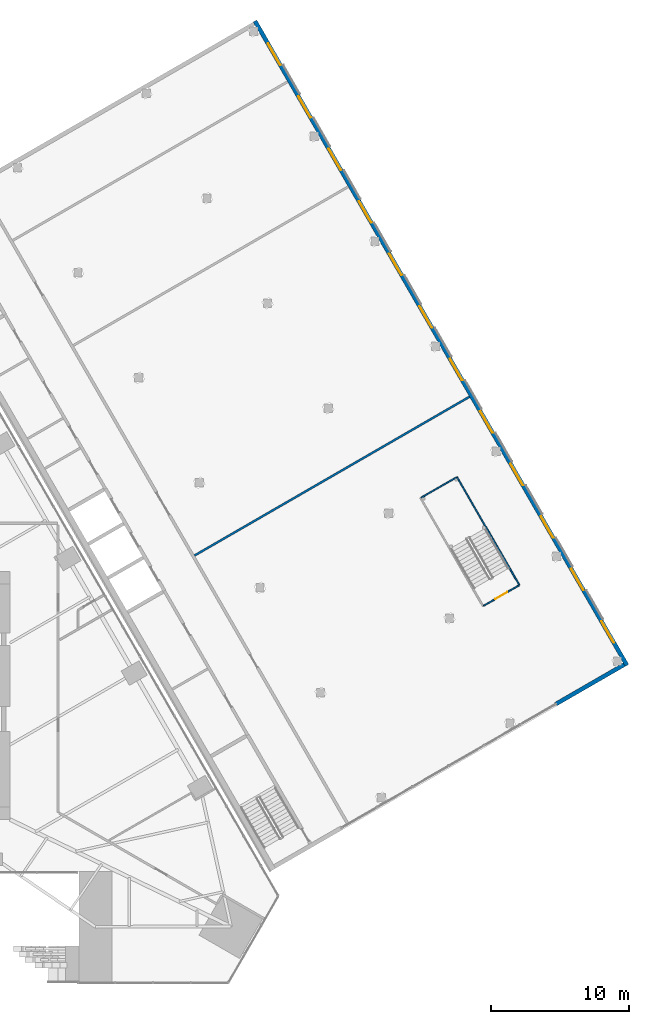
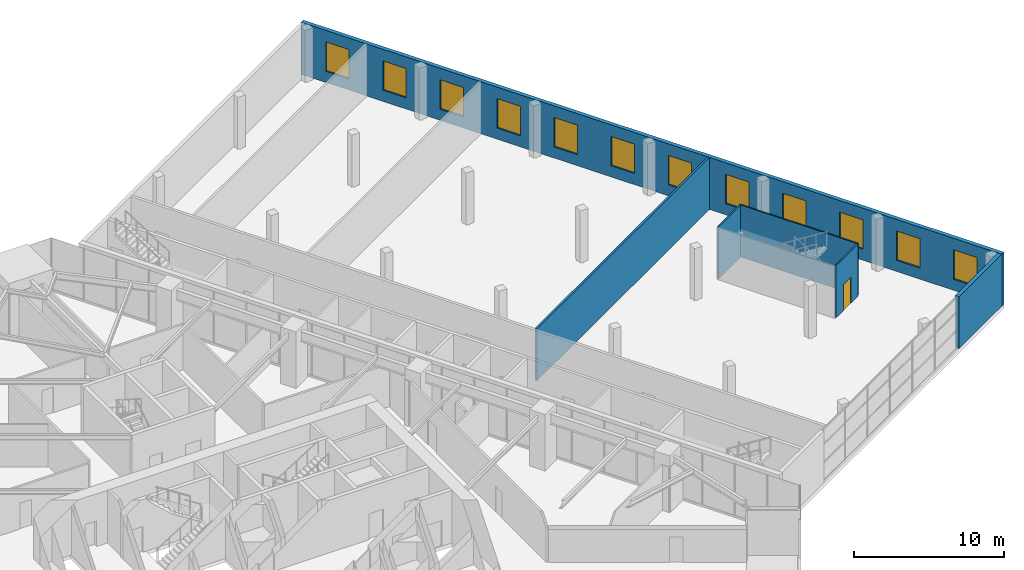
# One storey, part 21 of 29: 12 windows, 6 walls, 1 door, 13 openings.
"""IFC4 building model written with IfcOpenShell, lengths in metres."""

from ifc_helpers import new_model, si_unit, direction, frame, frame_2d, origin, place, context, subcontext, project, spatial, rectangle, extrude, material, layer, layer_set, type_object, element, fill, save


model = new_model("IFC4")

# Units and contexts
model_context = context("Model", 3, precision=1e-05, world=origin(), true_north=direction((0.0, 1.0)))
body_context = subcontext(model_context, "Body", "Model", "MODEL_VIEW")
ifc_project = project(units=[si_unit("LENGTHUNIT", "METRE"), si_unit("AREAUNIT", "SQUARE_METRE"), si_unit("VOLUMEUNIT", "CUBIC_METRE"), si_unit("PLANEANGLEUNIT", "RADIAN"), si_unit("MASSUNIT", "GRAM", prefix="KILO")], contexts=[model_context])

# Site, building, storey
site_placement = place(None, origin())
site = spatial("IfcSite", under=ifc_project, at=site_placement, CompositionType="ELEMENT")
building_placement = place(site_placement, origin())
building = spatial("IfcBuilding", under=site, at=building_placement, Name="Firuza Gate Tower and Library", CompositionType="ELEMENT")
storey_placement = place(building_placement, frame((0.0, 0.0, 8.0)))
storey = spatial("IfcBuildingStorey", under=building, at=storey_placement, Name="L01", CompositionType="ELEMENT", Elevation=8.0)

# Wall, openings, windows
ifc_material_1 = material(Name="Concrete C30/37", Category="concrete")
ifc_layer_1 = layer(ifc_material_1, 0.300048828125)
ifc_layer_set_1 = layer_set([ifc_layer_1], Name="LIB EXTERNAL WALL 300")
wall_type_1 = type_object("IfcWallType", Name="LIB EXTERNAL WALL 300", PredefinedType="SOLIDWALL", material=ifc_layer_set_1)
wall_1_placement = place(storey_placement, frame((132.783935546875, 77.1845703125, 0.0), z_axis=(0.0, 0.0, 1.0), x_axis=(-0.49999992739, 0.866025445706, 0.0)))
wall_1 = element("IfcWall", 1, at=wall_1_placement, inside=storey, type_object=wall_type_1, Name="L01 east wall", PredefinedType="SOLIDWALL", context=body_context, shape_type="SweptSolid", body=[
    extrude(rectangle(XDim=54.0, YDim=0.300048828125, at=frame_2d((27.0, 0.0))), origin(), (0.0, 0.0, 1.0), 4.239990234375),
])
opening_1_placement = place(wall_1_placement, frame((1.89990234375, 0.0, 0.89990234375)))
opening_1 = element("IfcOpeningElement", 2, at=opening_1_placement, cuts=wall_1, Name="Opening LIB-WN1-001", PredefinedType="OPENING", context=body_context, shape_type="SweptSolid", body=[
    extrude(rectangle(XDim=1.800048828125, YDim=2.39990234375, at=frame_2d((0.89990234375, 1.199951171875))), frame((0.0, 0.16015625, 0.0), z_axis=(0.0, -1.0, 0.0), x_axis=(1.0, 0.0, 0.0)), (0.0, 0.0, 1.0), 0.320068359375),
])
opening_2_placement = place(wall_1_placement, frame((6.300048828125, 0.0, 0.89990234375)))
opening_2 = element("IfcOpeningElement", 3, at=opening_2_placement, cuts=wall_1, Name="Opening LIB-WN1-002", PredefinedType="OPENING", context=body_context, shape_type="SweptSolid", body=[
    extrude(rectangle(XDim=1.800048828125, YDim=2.39990234375, at=frame_2d((0.89990234375, 1.199951171875))), frame((0.0, 0.16015625, 0.0), z_axis=(0.0, -1.0, 0.0), x_axis=(1.0, 0.0, 0.0)), (0.0, 0.0, 1.0), 0.320068359375),
])
opening_3_placement = place(wall_1_placement, frame((10.699951171875, 0.0, 0.89990234375)))
opening_3 = element("IfcOpeningElement", 4, at=opening_3_placement, cuts=wall_1, Name="Opening LIB-WN1-003", PredefinedType="OPENING", context=body_context, shape_type="SweptSolid", body=[
    extrude(rectangle(XDim=1.800048828125, YDim=2.39990234375, at=frame_2d((0.89990234375, 1.199951171875))), frame((0.0, 0.16015625, 0.0), z_axis=(0.0, -1.0, 0.0), x_axis=(1.0, 0.0, 0.0)), (0.0, 0.0, 1.0), 0.320068359375),
])
opening_4_placement = place(wall_1_placement, frame((15.10009765625, 0.0, 0.89990234375)))
opening_4 = element("IfcOpeningElement", 5, at=opening_4_placement, cuts=wall_1, Name="Opening LIB-WN1-004", PredefinedType="OPENING", context=body_context, shape_type="SweptSolid", body=[
    extrude(rectangle(XDim=1.800048828125, YDim=2.39990234375, at=frame_2d((0.89990234375, 1.199951171875))), frame((0.0, 0.16015625, 0.0), z_axis=(0.0, -1.0, 0.0), x_axis=(1.0, 0.0, 0.0)), (0.0, 0.0, 1.0), 0.320068359375),
])
opening_5_placement = place(wall_1_placement, frame((19.5, 0.0, 0.89990234375)))
opening_5 = element("IfcOpeningElement", 6, at=opening_5_placement, cuts=wall_1, Name="Opening LIB-WN1-005", PredefinedType="OPENING", context=body_context, shape_type="SweptSolid", body=[
    extrude(rectangle(XDim=1.800048828125, YDim=2.39990234375, at=frame_2d((0.89990234375, 1.199951171875))), frame((0.0, 0.16015625, 0.0), z_axis=(0.0, -1.0, 0.0), x_axis=(1.0, 0.0, 0.0)), (0.0, 0.0, 1.0), 0.320068359375),
])
opening_6_placement = place(wall_1_placement, frame((23.89990234375, 0.0, 0.89990234375)))
opening_6 = element("IfcOpeningElement", 7, at=opening_6_placement, cuts=wall_1, Name="Opening LIB-WN1-006", PredefinedType="OPENING", context=body_context, shape_type="SweptSolid", body=[
    extrude(rectangle(XDim=1.800048828125, YDim=2.39990234375, at=frame_2d((0.89990234375, 1.199951171875))), frame((0.0, 0.16015625, 0.0), z_axis=(0.0, -1.0, 0.0), x_axis=(1.0, 0.0, 0.0)), (0.0, 0.0, 1.0), 0.320068359375),
])
opening_7_placement = place(wall_1_placement, frame((28.300048828125, 0.0, 0.89990234375)))
opening_7 = element("IfcOpeningElement", 8, at=opening_7_placement, cuts=wall_1, Name="Opening LIB-WN1-007", PredefinedType="OPENING", context=body_context, shape_type="SweptSolid", body=[
    extrude(rectangle(XDim=1.800048828125, YDim=2.39990234375, at=frame_2d((0.89990234375, 1.199951171875))), frame((0.0, 0.16015625, 0.0), z_axis=(0.0, -1.0, 0.0), x_axis=(1.0, 0.0, 0.0)), (0.0, 0.0, 1.0), 0.320068359375),
])
opening_8_placement = place(wall_1_placement, frame((32.699951171875, 0.0, 0.89990234375)))
opening_8 = element("IfcOpeningElement", 9, at=opening_8_placement, cuts=wall_1, Name="Opening LIB-WN1-008", PredefinedType="OPENING", context=body_context, shape_type="SweptSolid", body=[
    extrude(rectangle(XDim=1.800048828125, YDim=2.39990234375, at=frame_2d((0.89990234375, 1.199951171875))), frame((0.0, 0.16015625, 0.0), z_axis=(0.0, -1.0, 0.0), x_axis=(1.0, 0.0, 0.0)), (0.0, 0.0, 1.0), 0.320068359375),
])
opening_9_placement = place(wall_1_placement, frame((37.10009765625, 0.0, 0.89990234375)))
opening_9 = element("IfcOpeningElement", 10, at=opening_9_placement, cuts=wall_1, Name="Opening LIB-WN1-009", PredefinedType="OPENING", context=body_context, shape_type="SweptSolid", body=[
    extrude(rectangle(XDim=1.800048828125, YDim=2.39990234375, at=frame_2d((0.89990234375, 1.199951171875))), frame((0.0, 0.16015625, 0.0), z_axis=(0.0, -1.0, 0.0), x_axis=(1.0, 0.0, 0.0)), (0.0, 0.0, 1.0), 0.320068359375),
])
opening_10_placement = place(wall_1_placement, frame((41.5, 0.0, 0.89990234375)))
opening_10 = element("IfcOpeningElement", 11, at=opening_10_placement, cuts=wall_1, Name="Opening LIB-WN1-010", PredefinedType="OPENING", context=body_context, shape_type="SweptSolid", body=[
    extrude(rectangle(XDim=1.800048828125, YDim=2.39990234375, at=frame_2d((0.89990234375, 1.199951171875))), frame((0.0, 0.16015625, 0.0), z_axis=(0.0, -1.0, 0.0), x_axis=(1.0, 0.0, 0.0)), (0.0, 0.0, 1.0), 0.320068359375),
])
opening_11_placement = place(wall_1_placement, frame((45.89990234375, 0.0, 0.89990234375)))
opening_11 = element("IfcOpeningElement", 12, at=opening_11_placement, cuts=wall_1, Name="Opening LIB-WN1-011", PredefinedType="OPENING", context=body_context, shape_type="SweptSolid", body=[
    extrude(rectangle(XDim=1.800048828125, YDim=2.39990234375, at=frame_2d((0.89990234375, 1.199951171875))), frame((0.0, 0.16015625, 0.0), z_axis=(0.0, -1.0, 0.0), x_axis=(1.0, 0.0, 0.0)), (0.0, 0.0, 1.0), 0.320068359375),
])
opening_12_placement = place(wall_1_placement, frame((50.300048828125, 0.0, 0.89990234375)))
opening_12 = element("IfcOpeningElement", 13, at=opening_12_placement, cuts=wall_1, Name="Opening LIB-WN1-012", PredefinedType="OPENING", context=body_context, shape_type="SweptSolid", body=[
    extrude(rectangle(XDim=1.800048828125, YDim=2.39990234375, at=frame_2d((0.89990234375, 1.199951171875))), frame((0.0, 0.16015625, 0.0), z_axis=(0.0, -1.0, 0.0), x_axis=(1.0, 0.0, 0.0)), (0.0, 0.0, 1.0), 0.320068359375),
])
ifc_material_2 = material(Name="Ceramic-fritted glass", Category="glass")
window_type = type_object("IfcWindowType", Name="LIB WINDOW 1800X2400", PartitioningType="SINGLE_PANEL", PredefinedType="WINDOW", material=ifc_material_2)
window_1_placement = place(opening_1_placement, origin())
window_1 = element("IfcWindow", 14, at=window_1_placement, inside=storey, type_object=window_type, Name="L01 east window 1a", OverallHeight=2.39990234375, OverallWidth=1.800048828125, PartitioningType="SINGLE_PANEL", PredefinedType="WINDOW", context=body_context, shape_type="SweptSolid", body=[
    extrude(rectangle(XDim=1.800048828125, YDim=2.39990234375, at=frame_2d((0.89990234375, 1.199951171875))), frame((0.0, 0.030029296875, 0.0), z_axis=(0.0, -1.0, 0.0), x_axis=(1.0, 0.0, 0.0)), (0.0, 0.0, 1.0), 0.06005859375),
])
fill(opening_1, window_1)
window_2_placement = place(opening_2_placement, origin())
window_2 = element("IfcWindow", 15, at=window_2_placement, inside=storey, type_object=window_type, Name="L01 east window 1b", OverallHeight=2.39990234375, OverallWidth=1.800048828125, PartitioningType="SINGLE_PANEL", PredefinedType="WINDOW", context=body_context, shape_type="SweptSolid", body=[
    extrude(rectangle(XDim=1.800048828125, YDim=2.39990234375, at=frame_2d((0.89990234375, 1.199951171875))), frame((0.0, 0.030029296875, 0.0), z_axis=(0.0, -1.0, 0.0), x_axis=(1.0, 0.0, 0.0)), (0.0, 0.0, 1.0), 0.06005859375),
])
fill(opening_2, window_2)
window_3_placement = place(opening_3_placement, origin())
window_3 = element("IfcWindow", 16, at=window_3_placement, inside=storey, type_object=window_type, Name="L01 east window 2a", OverallHeight=2.39990234375, OverallWidth=1.800048828125, PartitioningType="SINGLE_PANEL", PredefinedType="WINDOW", context=body_context, shape_type="SweptSolid", body=[
    extrude(rectangle(XDim=1.800048828125, YDim=2.39990234375, at=frame_2d((0.89990234375, 1.199951171875))), frame((0.0, 0.030029296875, 0.0), z_axis=(0.0, -1.0, 0.0), x_axis=(1.0, 0.0, 0.0)), (0.0, 0.0, 1.0), 0.06005859375),
])
fill(opening_3, window_3)
window_4_placement = place(opening_4_placement, origin())
window_4 = element("IfcWindow", 17, at=window_4_placement, inside=storey, type_object=window_type, Name="L01 east window 2b", OverallHeight=2.39990234375, OverallWidth=1.800048828125, PartitioningType="SINGLE_PANEL", PredefinedType="WINDOW", context=body_context, shape_type="SweptSolid", body=[
    extrude(rectangle(XDim=1.800048828125, YDim=2.39990234375, at=frame_2d((0.89990234375, 1.199951171875))), frame((0.0, 0.030029296875, 0.0), z_axis=(0.0, -1.0, 0.0), x_axis=(1.0, 0.0, 0.0)), (0.0, 0.0, 1.0), 0.06005859375),
])
fill(opening_4, window_4)
window_5_placement = place(opening_5_placement, origin())
window_5 = element("IfcWindow", 18, at=window_5_placement, inside=storey, type_object=window_type, Name="L01 east window 3a", OverallHeight=2.39990234375, OverallWidth=1.800048828125, PartitioningType="SINGLE_PANEL", PredefinedType="WINDOW", context=body_context, shape_type="SweptSolid", body=[
    extrude(rectangle(XDim=1.800048828125, YDim=2.39990234375, at=frame_2d((0.89990234375, 1.199951171875))), frame((0.0, 0.030029296875, 0.0), z_axis=(0.0, -1.0, 0.0), x_axis=(1.0, 0.0, 0.0)), (0.0, 0.0, 1.0), 0.06005859375),
])
fill(opening_5, window_5)
window_6_placement = place(opening_6_placement, origin())
window_6 = element("IfcWindow", 19, at=window_6_placement, inside=storey, type_object=window_type, Name="L01 east window 3b", OverallHeight=2.39990234375, OverallWidth=1.800048828125, PartitioningType="SINGLE_PANEL", PredefinedType="WINDOW", context=body_context, shape_type="SweptSolid", body=[
    extrude(rectangle(XDim=1.800048828125, YDim=2.39990234375, at=frame_2d((0.89990234375, 1.199951171875))), frame((0.0, 0.030029296875, 0.0), z_axis=(0.0, -1.0, 0.0), x_axis=(1.0, 0.0, 0.0)), (0.0, 0.0, 1.0), 0.06005859375),
])
fill(opening_6, window_6)
window_7_placement = place(opening_7_placement, origin())
window_7 = element("IfcWindow", 20, at=window_7_placement, inside=storey, type_object=window_type, Name="L01 east window 4a", OverallHeight=2.39990234375, OverallWidth=1.800048828125, PartitioningType="SINGLE_PANEL", PredefinedType="WINDOW", context=body_context, shape_type="SweptSolid", body=[
    extrude(rectangle(XDim=1.800048828125, YDim=2.39990234375, at=frame_2d((0.89990234375, 1.199951171875))), frame((0.0, 0.030029296875, 0.0), z_axis=(0.0, -1.0, 0.0), x_axis=(1.0, 0.0, 0.0)), (0.0, 0.0, 1.0), 0.06005859375),
])
fill(opening_7, window_7)
window_8_placement = place(opening_8_placement, origin())
window_8 = element("IfcWindow", 21, at=window_8_placement, inside=storey, type_object=window_type, Name="L01 east window 4b", OverallHeight=2.39990234375, OverallWidth=1.800048828125, PartitioningType="SINGLE_PANEL", PredefinedType="WINDOW", context=body_context, shape_type="SweptSolid", body=[
    extrude(rectangle(XDim=1.800048828125, YDim=2.39990234375, at=frame_2d((0.89990234375, 1.199951171875))), frame((0.0, 0.030029296875, 0.0), z_axis=(0.0, -1.0, 0.0), x_axis=(1.0, 0.0, 0.0)), (0.0, 0.0, 1.0), 0.06005859375),
])
fill(opening_8, window_8)
window_9_placement = place(opening_9_placement, origin())
window_9 = element("IfcWindow", 22, at=window_9_placement, inside=storey, type_object=window_type, Name="L01 east window 5a", OverallHeight=2.39990234375, OverallWidth=1.800048828125, PartitioningType="SINGLE_PANEL", PredefinedType="WINDOW", context=body_context, shape_type="SweptSolid", body=[
    extrude(rectangle(XDim=1.800048828125, YDim=2.39990234375, at=frame_2d((0.89990234375, 1.199951171875))), frame((0.0, 0.030029296875, 0.0), z_axis=(0.0, -1.0, 0.0), x_axis=(1.0, 0.0, 0.0)), (0.0, 0.0, 1.0), 0.06005859375),
])
fill(opening_9, window_9)
window_10_placement = place(opening_10_placement, origin())
window_10 = element("IfcWindow", 23, at=window_10_placement, inside=storey, type_object=window_type, Name="L01 east window 5b", OverallHeight=2.39990234375, OverallWidth=1.800048828125, PartitioningType="SINGLE_PANEL", PredefinedType="WINDOW", context=body_context, shape_type="SweptSolid", body=[
    extrude(rectangle(XDim=1.800048828125, YDim=2.39990234375, at=frame_2d((0.89990234375, 1.199951171875))), frame((0.0, 0.030029296875, 0.0), z_axis=(0.0, -1.0, 0.0), x_axis=(1.0, 0.0, 0.0)), (0.0, 0.0, 1.0), 0.06005859375),
])
fill(opening_10, window_10)
window_11_placement = place(opening_11_placement, origin())
window_11 = element("IfcWindow", 24, at=window_11_placement, inside=storey, type_object=window_type, Name="L01 east window 6a", OverallHeight=2.39990234375, OverallWidth=1.800048828125, PartitioningType="SINGLE_PANEL", PredefinedType="WINDOW", context=body_context, shape_type="SweptSolid", body=[
    extrude(rectangle(XDim=1.800048828125, YDim=2.39990234375, at=frame_2d((0.89990234375, 1.199951171875))), frame((0.0, 0.030029296875, 0.0), z_axis=(0.0, -1.0, 0.0), x_axis=(1.0, 0.0, 0.0)), (0.0, 0.0, 1.0), 0.06005859375),
])
fill(opening_11, window_11)
window_12_placement = place(opening_12_placement, origin())
window_12 = element("IfcWindow", 25, at=window_12_placement, inside=storey, type_object=window_type, Name="L01 east window 6b", OverallHeight=2.39990234375, OverallWidth=1.800048828125, PartitioningType="SINGLE_PANEL", PredefinedType="WINDOW", context=body_context, shape_type="SweptSolid", body=[
    extrude(rectangle(XDim=1.800048828125, YDim=2.39990234375, at=frame_2d((0.89990234375, 1.199951171875))), frame((0.0, 0.030029296875, 0.0), z_axis=(0.0, -1.0, 0.0), x_axis=(1.0, 0.0, 0.0)), (0.0, 0.0, 1.0), 0.06005859375),
])
fill(opening_12, window_12)

# Walls
wall_2_placement = place(storey_placement, frame((127.642578125, 74.389404296875, 0.0), z_axis=(0.0, 0.0, 1.0), x_axis=(0.866025820012, 0.499999279071, 0.0)))
element("IfcWall", 26, at=wall_2_placement, inside=storey, type_object=wall_type_1, Name="L01 south wall S2", PredefinedType="SOLIDWALL", context=body_context, shape_type="SweptSolid", body=[
    extrude(rectangle(XDim=5.7001953125, YDim=0.300048828125, at=frame_2d((2.85009765625, 0.0))), origin(), (0.0, 0.0, 1.0), 4.239990234375),
])
ifc_material_3 = material(Name="Laminated glass", Category="glass")
ifc_layer_2 = layer(ifc_material_3, 0.10009765625)
ifc_layer_set_2 = layer_set([ifc_layer_2], Name="LIB GLAZED STAIR SCREEN 100")
wall_type_2 = type_object("IfcWallType", Name="LIB GLAZED STAIR SCREEN 100", PredefinedType="PARTITIONING", material=ifc_layer_set_2)
wall_3_placement = place(storey_placement, frame((124.974609375, 83.010498046875, 0.0), z_axis=(0.0, 0.0, 1.0), x_axis=(-0.500002365587, 0.866024038008, 0.0)))
element("IfcWall", 27, at=wall_3_placement, inside=storey, type_object=wall_type_2, Name="L01 glass wall 19", PredefinedType="PARTITIONING", context=body_context, shape_type="SweptSolid", body=[
    extrude(rectangle(XDim=9.06005859375, YDim=0.10009765625, at=frame_2d((4.530029296875, 0.0))), origin(), (0.0, 0.0, 1.0), 4.239990234375),
])

# Wall, opening, door
wall_4_placement = place(storey_placement, frame((122.376708984375, 81.510498046875, 0.0), z_axis=(0.0, 0.0, 1.0), x_axis=(0.866003658127, 0.500037662692, 0.0)))
wall_4 = element("IfcWall", 28, at=wall_4_placement, inside=storey, type_object=wall_type_2, Name="L01 glass wall 20", PredefinedType="PARTITIONING", context=body_context, shape_type="SweptSolid", body=[
    extrude(rectangle(XDim=2.949951171875, YDim=0.10009765625, at=frame_2d((1.47509765625, 0.0))), origin(), (0.0, 0.0, 1.0), 4.239990234375),
])
opening_13_placement = place(wall_4_placement, frame((0.97509765625, 0.0, 0.0)))
opening_13 = element("IfcOpeningElement", 29, at=opening_13_placement, cuts=wall_4, Name="Opening LIB-D2-002", PredefinedType="OPENING", context=body_context, shape_type="SweptSolid", body=[
    extrude(rectangle(XDim=1.0, YDim=2.10009765625, at=frame_2d((0.5, 1.050048828125))), frame((0.0, 0.06005859375, 0.0), z_axis=(0.0, -1.0, 0.0), x_axis=(1.0, 0.0, 0.0)), (0.0, 0.0, 1.0), 0.1201171875),
])
ifc_material_4 = material(Name="Timber door leaf", Category="wood")
door_type = type_object("IfcDoorType", Name="LIB DOOR 1000", OperationType="NOTDEFINED", PredefinedType="DOOR", material=ifc_material_4)
door_placement = place(opening_13_placement, origin())
door = element("IfcDoor", 30, at=door_placement, inside=storey, type_object=door_type, Name="L01 door 12", OperationType="SINGLE_SWING_RIGHT", OverallHeight=2.10009765625, OverallWidth=1.0, PredefinedType="DOOR", context=body_context, shape_type="SweptSolid", body=[
    extrude(rectangle(XDim=1.0, YDim=2.10009765625, at=frame_2d((0.5, 1.050048828125))), frame((0.0, 0.02490234375, 0.0), z_axis=(0.0, -1.0, 0.0), x_axis=(1.0, 0.0, 0.0)), (0.0, 0.0, 1.0), 0.050048828125),
])
fill(opening_13, door)

# Walls
wall_5_placement = place(storey_placement, frame((117.8466796875, 89.356689453125, 0.0), z_axis=(0.0, 0.0, 1.0), x_axis=(0.866003658127, 0.500037662692, 0.0)))
element("IfcWall", 31, at=wall_5_placement, inside=storey, type_object=wall_type_2, Name="L01 glass wall 21", PredefinedType="PARTITIONING", context=body_context, shape_type="SweptSolid", body=[
    extrude(rectangle(XDim=2.949951171875, YDim=0.10009765625, at=frame_2d((1.47509765625, 0.0))), origin(), (0.0, 0.0, 1.0), 4.239990234375),
])
ifc_material_5 = material(Name="Gypsum board on steel studs", Category="steel")
ifc_layer_3 = layer(ifc_material_5, 0.14990234375)
ifc_layer_set_3 = layer_set([ifc_layer_3], Name="LIB PARTITION 150")
wall_type_3 = type_object("IfcWallType", Name="LIB PARTITION 150", PredefinedType="PARTITIONING", material=ifc_layer_set_3)
wall_6_placement = place(storey_placement, frame((101.39208984375, 85.15673828125, 0.0), z_axis=(0.0, 0.0, 1.0), x_axis=(0.866022961126, 0.500004230785, 0.0)))
element("IfcWall", 32, at=wall_6_placement, inside=storey, type_object=wall_type_3, Name="L01 part wall 17", PredefinedType="PARTITIONING", context=body_context, shape_type="SweptSolid", body=[
    extrude(rectangle(XDim=23.050048828125, YDim=0.14990234375, at=frame_2d((11.52490234375, 0.0))), origin(), (0.0, 0.0, 1.0), 4.239990234375),
])

save(model, "model.ifc")
